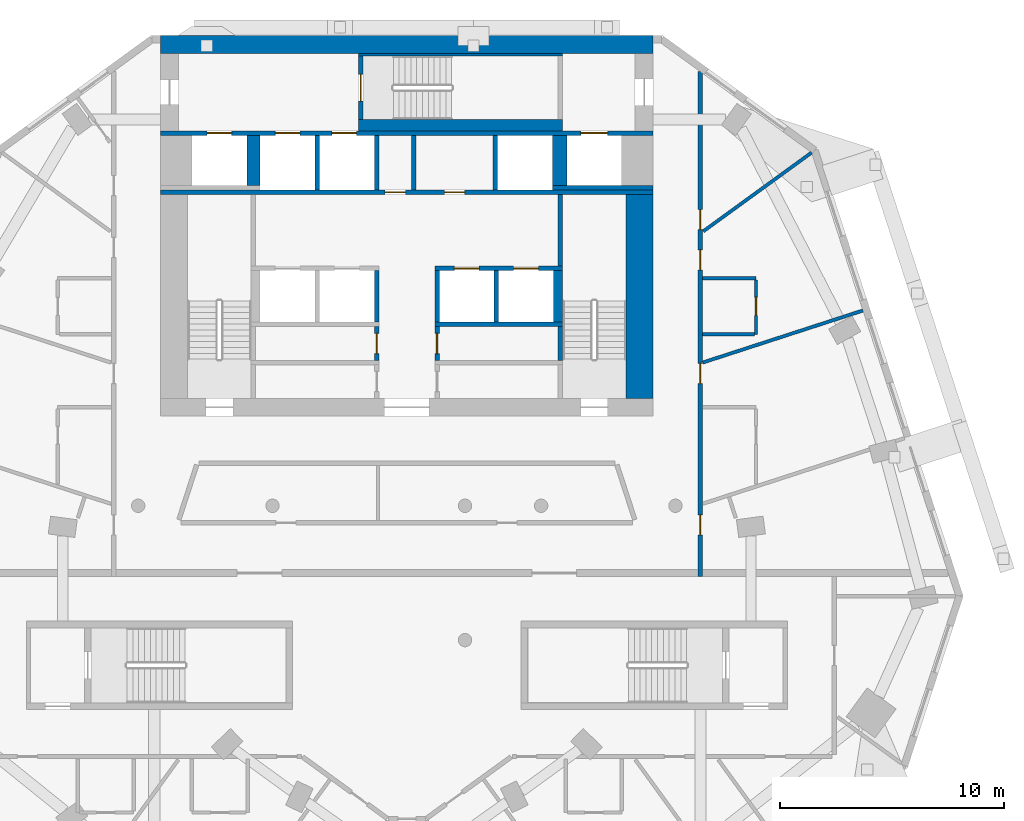
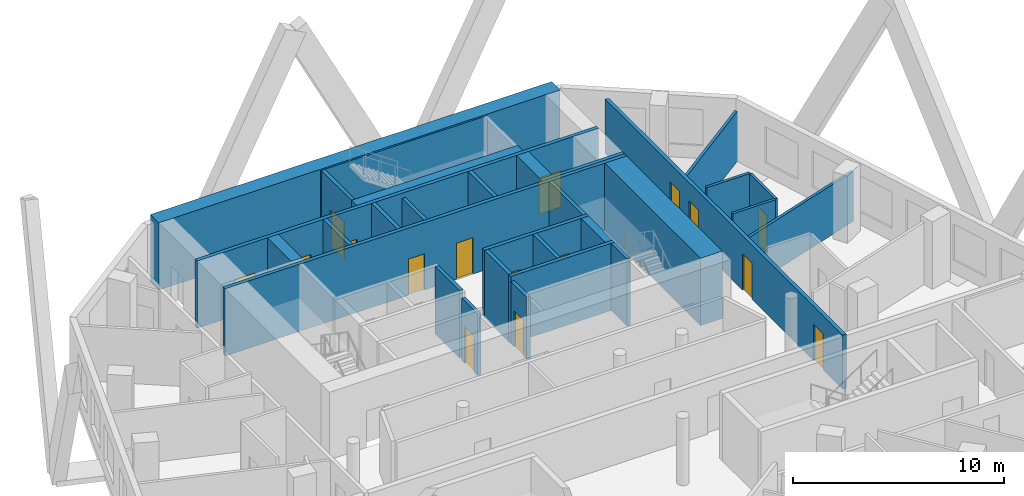
# One storey, part 7 of 10: 30 walls, 16 doors, 16 openings.
"""IFC4 building model written with IfcOpenShell, lengths in metres."""

from ifc_helpers import new_model, si_unit, direction, frame, frame_2d, origin, place, context, subcontext, project, spatial, rectangle, extrude, material, layer, layer_set, type_object, element, fill, save


model = new_model("IFC4")

# Units and contexts
model_context = context("Model", 3, precision=1e-05, world=origin(), true_north=direction((0.0, 1.0)))
body_context = subcontext(model_context, "Body", "Model", "MODEL_VIEW")
ifc_project = project(units=[si_unit("LENGTHUNIT", "METRE"), si_unit("AREAUNIT", "SQUARE_METRE"), si_unit("VOLUMEUNIT", "CUBIC_METRE"), si_unit("PLANEANGLEUNIT", "RADIAN"), si_unit("MASSUNIT", "GRAM", prefix="KILO")], contexts=[model_context])

# Site, building, storey
site_placement = place(None, origin())
site = spatial("IfcSite", under=ifc_project, at=site_placement, CompositionType="ELEMENT")
building_placement = place(site_placement, origin())
building = spatial("IfcBuilding", under=site, at=building_placement, Name="White Candle Pilgrim Tower", CompositionType="ELEMENT")
storey_placement = place(building_placement, frame((0.0, 0.0, 208.199951171875)))
storey = spatial("IfcBuildingStorey", under=building, at=storey_placement, Name="L48", CompositionType="ELEMENT", Elevation=208.199951171875)

# Wall
ifc_material_1 = material(Name="Concrete C50/60", Category="concrete")
ifc_layer_1 = layer(ifc_material_1, 0.199951171875)
ifc_layer_set_1 = layer_set([ifc_layer_1], Name="Core wall 200 mm Concrete C50/60")
wall_type_1 = type_object("IfcWallType", Name="Core wall 200 mm Concrete C50/60", PredefinedType="SHEAR", material=ifc_layer_set_1)
wall_1_placement = place(storey_placement, frame((76.5, 81.199951171875, 0.0), z_axis=(0.0, 0.0, 1.0), x_axis=(1.0, 0.0, 0.0)))
element("IfcWall", 1, at=wall_1_placement, inside=storey, type_object=wall_type_1, Name="WL-L48-C42", PredefinedType="SHEAR", context=body_context, shape_type="SweptSolid", body=[
    extrude(rectangle(XDim=4.5, YDim=0.199951171875, at=frame_2d((2.25, 0.0))), origin(), (0.0, 0.0, 1.0), 3.900146484375),
])

# Wall, openings, doors
wall_2_placement = place(storey_placement, frame((59.0, 83.64990234375, 0.0), z_axis=(0.0, 0.0, 1.0), x_axis=(1.0, 0.0, 0.0)))
wall_2 = element("IfcWall", 2, at=wall_2_placement, inside=storey, type_object=wall_type_1, Name="WL-L48-C47", PredefinedType="SHEAR", context=body_context, shape_type="SweptSolid", body=[
    extrude(rectangle(XDim=22.0, YDim=0.199951171875, at=frame_2d((11.0, 0.0))), origin(), (0.0, 0.0, 1.0), 3.900146484375),
])
opening_1_placement = place(wall_2_placement, frame((5.125, 0.0, 0.0)))
opening_1 = element("IfcOpeningElement", 3, at=opening_1_placement, cuts=wall_2, Name="Opening T15-019", PredefinedType="OPENING", context=body_context, shape_type="SweptSolid", body=[
    extrude(rectangle(XDim=1.10009765625, YDim=2.10009765625, at=frame_2d((0.550048828125, 1.050048828125))), frame((0.0, 0.10986328125, 0.0), z_axis=(0.0, -1.0, 0.0), x_axis=(1.0, 0.0, 0.0)), (0.0, 0.0, 1.0), 0.219970703125),
])
opening_2_placement = place(wall_2_placement, frame((7.64990234375, 0.0, 0.0)))
opening_2 = element("IfcOpeningElement", 4, at=opening_2_placement, cuts=wall_2, Name="Opening T15-020", PredefinedType="OPENING", context=body_context, shape_type="SweptSolid", body=[
    extrude(rectangle(XDim=1.10009765625, YDim=2.10009765625, at=frame_2d((0.550048828125, 1.050048828125))), frame((0.0, 0.10986328125, 0.0), z_axis=(0.0, -1.0, 0.0), x_axis=(1.0, 0.0, 0.0)), (0.0, 0.0, 1.0), 0.219970703125),
])
opening_3_placement = place(wall_2_placement, frame((18.77490234375, 0.0, 0.0)))
opening_3 = element("IfcOpeningElement", 5, at=opening_3_placement, cuts=wall_2, Name="Opening T15-021", PredefinedType="OPENING", context=body_context, shape_type="SweptSolid", body=[
    extrude(rectangle(XDim=1.199951171875, YDim=2.10009765625, at=frame_2d((0.60009765625, 1.050048828125))), frame((0.0, 0.10986328125, 0.0), z_axis=(0.0, -1.0, 0.0), x_axis=(1.0, 0.0, 0.0)), (0.0, 0.0, 1.0), 0.219970703125),
])
opening_4_placement = place(wall_2_placement, frame((2.074951171875, 0.0, 0.0)))
opening_4 = element("IfcOpeningElement", 6, at=opening_4_placement, cuts=wall_2, Name="Opening T15-022", PredefinedType="OPENING", context=body_context, shape_type="SweptSolid", body=[
    extrude(rectangle(XDim=1.10009765625, YDim=2.10009765625, at=frame_2d((0.550048828125, 1.050048828125))), frame((0.0, 0.10986328125, 0.0), z_axis=(0.0, -1.0, 0.0), x_axis=(1.0, 0.0, 0.0)), (0.0, 0.0, 1.0), 0.219970703125),
])
ifc_material_2 = material(Name="Stainless steel", Category="steel")
door_type_1 = type_object("IfcDoorType", Name="Lift landing door 1100 x 2100 EI 60", OperationType="DOUBLE_DOOR_SLIDING", PredefinedType="DOOR", material=ifc_material_2)
door_1_placement = place(opening_1_placement, origin())
door_1 = element("IfcDoor", 7, at=door_1_placement, inside=storey, type_object=door_type_1, Name="Door T15-019", OperationType="DOUBLE_DOOR_SLIDING", OverallHeight=2.10009765625, OverallWidth=1.10009765625, PredefinedType="DOOR", context=body_context, shape_type="SweptSolid", body=[
    extrude(rectangle(XDim=1.10009765625, YDim=2.10009765625, at=frame_2d((0.550048828125, 1.050048828125))), frame((0.0, 0.02490234375, 0.0), z_axis=(0.0, -1.0, 0.0), x_axis=(1.0, 0.0, 0.0)), (0.0, 0.0, 1.0), 0.050048828125),
])
fill(opening_1, door_1)
door_2_placement = place(opening_2_placement, origin())
door_2 = element("IfcDoor", 8, at=door_2_placement, inside=storey, type_object=door_type_1, Name="Door T15-020", OperationType="DOUBLE_DOOR_SLIDING", OverallHeight=2.10009765625, OverallWidth=1.10009765625, PredefinedType="DOOR", context=body_context, shape_type="SweptSolid", body=[
    extrude(rectangle(XDim=1.10009765625, YDim=2.10009765625, at=frame_2d((0.550048828125, 1.050048828125))), frame((0.0, 0.02490234375, 0.0), z_axis=(0.0, -1.0, 0.0), x_axis=(1.0, 0.0, 0.0)), (0.0, 0.0, 1.0), 0.050048828125),
])
fill(opening_2, door_2)
door_3_placement = place(opening_4_placement, origin())
door_3 = element("IfcDoor", 9, at=door_3_placement, inside=storey, type_object=door_type_1, Name="Door T15-022", OperationType="DOUBLE_DOOR_SLIDING", OverallHeight=2.10009765625, OverallWidth=1.10009765625, PredefinedType="DOOR", context=body_context, shape_type="SweptSolid", body=[
    extrude(rectangle(XDim=1.10009765625, YDim=2.10009765625, at=frame_2d((0.550048828125, 1.050048828125))), frame((0.0, 0.02490234375, 0.0), z_axis=(0.0, -1.0, 0.0), x_axis=(1.0, 0.0, 0.0)), (0.0, 0.0, 1.0), 0.050048828125),
])
fill(opening_4, door_3)
door_type_2 = type_object("IfcDoorType", Name="Lift landing door 1200 x 2100 E 60", OperationType="DOUBLE_DOOR_SLIDING", PredefinedType="DOOR", material=ifc_material_2)
door_4_placement = place(opening_3_placement, origin())
door_4 = element("IfcDoor", 10, at=door_4_placement, inside=storey, type_object=door_type_2, Name="Door T15-021", OperationType="DOUBLE_DOOR_SLIDING", OverallHeight=2.10009765625, OverallWidth=1.199951171875, PredefinedType="DOOR", context=body_context, shape_type="SweptSolid", body=[
    extrude(rectangle(XDim=1.199951171875, YDim=2.10009765625, at=frame_2d((0.60009765625, 1.050048828125))), frame((0.0, 0.02490234375, 0.0), z_axis=(0.0, -1.0, 0.0), x_axis=(1.0, 0.0, 0.0)), (0.0, 0.0, 1.0), 0.050048828125),
])
fill(opening_3, door_4)

# Wall
ifc_layer_2 = layer(ifc_material_1, 0.800048828125)
ifc_layer_set_2 = layer_set([ifc_layer_2], Name="Core wall 800 mm Concrete C50/60")
wall_type_2 = type_object("IfcWallType", Name="Core wall 800 mm Concrete C50/60", PredefinedType="SHEAR", material=ifc_layer_set_2)
wall_3_placement = place(storey_placement, frame((59.0, 87.60009765625, 0.0), z_axis=(0.0, 0.0, 1.0), x_axis=(1.0, 0.0, 0.0)))
element("IfcWall", 11, at=wall_3_placement, inside=storey, type_object=wall_type_2, Name="WL-L48-C54", PredefinedType="SHEAR", context=body_context, shape_type="SweptSolid", body=[
    extrude(rectangle(XDim=22.0, YDim=0.800048828125, at=frame_2d((11.0, 0.0))), origin(), (0.0, 0.0, 1.0), 3.900146484375),
])

# Wall, openings, doors
ifc_material_3 = material(Name="Gypsum board on steel studs", Category="steel")
ifc_layer_3 = layer(ifc_material_3, 0.199951171875)
ifc_layer_set_3 = layer_set([ifc_layer_3], Name="Corridor wall 200 mm EI 45")
wall_type_3 = type_object("IfcWallType", Name="Corridor wall 200 mm EI 45", PredefinedType="PARTITIONING", material=ifc_layer_set_3)
wall_4_placement = place(storey_placement, frame((83.10009765625, 86.396240234375, 0.0), z_axis=(0.0, 0.0, 1.0), x_axis=(0.0, -1.0, 0.0)))
wall_4 = element("IfcWall", 12, at=wall_4_placement, inside=storey, type_object=wall_type_3, Name="WL-L48-P003", PredefinedType="PARTITIONING", context=body_context, shape_type="SweptSolid", body=[
    extrude(rectangle(XDim=22.546142578125, YDim=0.199951171875, at=frame_2d((11.27294921875, 0.0))), origin(), (0.0, 0.0, 1.0), 3.150146484375),
])
opening_5_placement = place(wall_4_placement, frame((6.163818359375, 0.0, 0.0)))
opening_5 = element("IfcOpeningElement", 13, at=opening_5_placement, cuts=wall_4, Name="Opening T15-128", PredefinedType="OPENING", context=body_context, shape_type="SweptSolid", body=[
    extrude(rectangle(XDim=0.89990234375, YDim=2.10009765625, at=frame_2d((0.449951171875, 1.050048828125))), frame((0.0, 0.10986328125, 0.0), z_axis=(0.0, -1.0, 0.0), x_axis=(1.0, 0.0, 0.0)), (0.0, 0.0, 1.0), 0.219970703125),
])
opening_6_placement = place(wall_4_placement, frame((7.95947265625, 0.0, 0.0)))
opening_6 = element("IfcOpeningElement", 14, at=opening_6_placement, cuts=wall_4, Name="Opening T15-129", PredefinedType="OPENING", context=body_context, shape_type="SweptSolid", body=[
    extrude(rectangle(XDim=0.89990234375, YDim=2.10009765625, at=frame_2d((0.449951171875, 1.050048828125))), frame((0.0, 0.10986328125, 0.0), z_axis=(0.0, -1.0, 0.0), x_axis=(1.0, 0.0, 0.0)), (0.0, 0.0, 1.0), 0.219970703125),
])
opening_7_placement = place(wall_4_placement, frame((13.034423828125, 0.0, 0.0)))
opening_7 = element("IfcOpeningElement", 15, at=opening_7_placement, cuts=wall_4, Name="Opening T15-130", PredefinedType="OPENING", context=body_context, shape_type="SweptSolid", body=[
    extrude(rectangle(XDim=0.89990234375, YDim=2.10009765625, at=frame_2d((0.449951171875, 1.050048828125))), frame((0.0, 0.10986328125, 0.0), z_axis=(0.0, -1.0, 0.0), x_axis=(1.0, 0.0, 0.0)), (0.0, 0.0, 1.0), 0.219970703125),
])
opening_8_placement = place(wall_4_placement, frame((19.80126953125, 0.0, 0.0)))
opening_8 = element("IfcOpeningElement", 16, at=opening_8_placement, cuts=wall_4, Name="Opening T15-131", PredefinedType="OPENING", context=body_context, shape_type="SweptSolid", body=[
    extrude(rectangle(XDim=0.89990234375, YDim=2.10009765625, at=frame_2d((0.449951171875, 1.050048828125))), frame((0.0, 0.10986328125, 0.0), z_axis=(0.0, -1.0, 0.0), x_axis=(1.0, 0.0, 0.0)), (0.0, 0.0, 1.0), 0.219970703125),
])
ifc_material_4 = material(Name="Steel door leaf", Category="steel")
door_type_3 = type_object("IfcDoorType", Name="Fire door 900 x 2100 EI 30", OperationType="NOTDEFINED", PredefinedType="DOOR", material=ifc_material_4)
door_5_placement = place(opening_5_placement, origin())
door_5 = element("IfcDoor", 17, at=door_5_placement, inside=storey, type_object=door_type_3, Name="Door T15-128", OperationType="SINGLE_SWING_RIGHT", OverallHeight=2.10009765625, OverallWidth=0.89990234375, PredefinedType="DOOR", context=body_context, shape_type="SweptSolid", body=[
    extrude(rectangle(XDim=0.89990234375, YDim=2.10009765625, at=frame_2d((0.449951171875, 1.050048828125))), frame((0.0, 0.02490234375, 0.0), z_axis=(0.0, -1.0, 0.0), x_axis=(1.0, 0.0, 0.0)), (0.0, 0.0, 1.0), 0.050048828125),
])
fill(opening_5, door_5)
door_6_placement = place(opening_6_placement, origin())
door_6 = element("IfcDoor", 18, at=door_6_placement, inside=storey, type_object=door_type_3, Name="Door T15-129", OperationType="SINGLE_SWING_LEFT", OverallHeight=2.10009765625, OverallWidth=0.89990234375, PredefinedType="DOOR", context=body_context, shape_type="SweptSolid", body=[
    extrude(rectangle(XDim=0.89990234375, YDim=2.10009765625, at=frame_2d((0.449951171875, 1.050048828125))), frame((0.0, 0.02490234375, 0.0), z_axis=(0.0, -1.0, 0.0), x_axis=(1.0, 0.0, 0.0)), (0.0, 0.0, 1.0), 0.050048828125),
])
fill(opening_6, door_6)
door_7_placement = place(opening_7_placement, origin())
door_7 = element("IfcDoor", 19, at=door_7_placement, inside=storey, type_object=door_type_3, Name="Door T15-130", OperationType="SINGLE_SWING_RIGHT", OverallHeight=2.10009765625, OverallWidth=0.89990234375, PredefinedType="DOOR", context=body_context, shape_type="SweptSolid", body=[
    extrude(rectangle(XDim=0.89990234375, YDim=2.10009765625, at=frame_2d((0.449951171875, 1.050048828125))), frame((0.0, 0.02490234375, 0.0), z_axis=(0.0, -1.0, 0.0), x_axis=(1.0, 0.0, 0.0)), (0.0, 0.0, 1.0), 0.050048828125),
])
fill(opening_7, door_7)
door_8_placement = place(opening_8_placement, origin())
door_8 = element("IfcDoor", 20, at=door_8_placement, inside=storey, type_object=door_type_3, Name="Door T15-131", OperationType="SINGLE_SWING_LEFT", OverallHeight=2.10009765625, OverallWidth=0.89990234375, PredefinedType="DOOR", context=body_context, shape_type="SweptSolid", body=[
    extrude(rectangle(XDim=0.89990234375, YDim=2.10009765625, at=frame_2d((0.449951171875, 1.050048828125))), frame((0.0, 0.02490234375, 0.0), z_axis=(0.0, -1.0, 0.0), x_axis=(1.0, 0.0, 0.0)), (0.0, 0.0, 1.0), 0.050048828125),
])
fill(opening_8, door_8)

# Wall, opening, door
ifc_layer_4 = layer(ifc_material_3, 0.199951171875)
ifc_layer_set_4 = layer_set([ifc_layer_4], Name="Lobby wall 200 mm EI 60")
wall_type_4 = type_object("IfcWallType", Name="Lobby wall 200 mm EI 60", PredefinedType="PARTITIONING", material=ifc_layer_set_4)
wall_5_placement = place(storey_placement, frame((68.64990234375, 73.5, 0.0), z_axis=(0.0, 0.0, 1.0), x_axis=(0.0, 1.0, 0.0)))
wall_5 = element("IfcWall", 21, at=wall_5_placement, inside=storey, type_object=wall_type_4, Name="WL-L48-C21", PredefinedType="PARTITIONING", context=body_context, shape_type="SweptSolid", body=[
    extrude(rectangle(XDim=1.5, YDim=0.199951171875, at=frame_2d((0.75, 0.0))), origin(), (0.0, 0.0, 1.0), 3.60009765625),
])
opening_9_placement = place(wall_5_placement, frame((0.300048828125, 0.0, 0.0)))
opening_9 = element("IfcOpeningElement", 22, at=opening_9_placement, cuts=wall_5, Name="Opening T15-006", PredefinedType="OPENING", context=body_context, shape_type="SweptSolid", body=[
    extrude(rectangle(XDim=0.89990234375, YDim=2.10009765625, at=frame_2d((0.449951171875, 1.050048828125))), frame((0.0, 0.10986328125, 0.0), z_axis=(0.0, -1.0, 0.0), x_axis=(1.0, 0.0, 0.0)), (0.0, 0.0, 1.0), 0.219970703125),
])
door_9_placement = place(opening_9_placement, origin())
door_9 = element("IfcDoor", 23, at=door_9_placement, inside=storey, type_object=door_type_3, Name="Door T15-006", OperationType="SINGLE_SWING_RIGHT", OverallHeight=2.10009765625, OverallWidth=0.89990234375, PredefinedType="DOOR", context=body_context, shape_type="SweptSolid", body=[
    extrude(rectangle(XDim=0.89990234375, YDim=2.10009765625, at=frame_2d((0.449951171875, 1.050048828125))), frame((0.0, 0.02490234375, 0.0), z_axis=(0.0, -1.0, 0.0), x_axis=(1.0, 0.0, 0.0)), (0.0, 0.0, 1.0), 0.050048828125),
])
fill(opening_9, door_9)

wall_6_placement = place(storey_placement, frame((71.35009765625, 73.5, 0.0), z_axis=(0.0, 0.0, 1.0), x_axis=(0.0, 1.0, 0.0)))
wall_6 = element("IfcWall", 24, at=wall_6_placement, inside=storey, type_object=wall_type_4, Name="WL-L48-C22", PredefinedType="PARTITIONING", context=body_context, shape_type="SweptSolid", body=[
    extrude(rectangle(XDim=1.5, YDim=0.199951171875, at=frame_2d((0.75, 0.0))), origin(), (0.0, 0.0, 1.0), 3.60009765625),
])
opening_10_placement = place(wall_6_placement, frame((0.300048828125, 0.0, 0.0)))
opening_10 = element("IfcOpeningElement", 25, at=opening_10_placement, cuts=wall_6, Name="Opening T15-008", PredefinedType="OPENING", context=body_context, shape_type="SweptSolid", body=[
    extrude(rectangle(XDim=0.89990234375, YDim=2.10009765625, at=frame_2d((0.449951171875, 1.050048828125))), frame((0.0, 0.10986328125, 0.0), z_axis=(0.0, -1.0, 0.0), x_axis=(1.0, 0.0, 0.0)), (0.0, 0.0, 1.0), 0.219970703125),
])
door_10_placement = place(opening_10_placement, origin())
door_10 = element("IfcDoor", 26, at=door_10_placement, inside=storey, type_object=door_type_3, Name="Door T15-008", OperationType="SINGLE_SWING_RIGHT", OverallHeight=2.10009765625, OverallWidth=0.89990234375, PredefinedType="DOOR", context=body_context, shape_type="SweptSolid", body=[
    extrude(rectangle(XDim=0.89990234375, YDim=2.10009765625, at=frame_2d((0.449951171875, 1.050048828125))), frame((0.0, 0.02490234375, 0.0), z_axis=(0.0, -1.0, 0.0), x_axis=(1.0, 0.0, 0.0)), (0.0, 0.0, 1.0), 0.050048828125),
])
fill(opening_10, door_10)

# Walls
wall_7_placement = place(storey_placement, frame((70.320068359375, 81.10009765625, 0.0), z_axis=(0.0, 0.0, 1.0), x_axis=(0.0, 1.0, 0.0)))
element("IfcWall", 27, at=wall_7_placement, inside=storey, type_object=wall_type_4, Name="WL-L48-C40", PredefinedType="PARTITIONING", context=body_context, shape_type="SweptSolid", body=[
    extrude(rectangle(XDim=2.449951171875, YDim=0.199951171875, at=frame_2d((1.22509765625, 0.0))), origin(), (0.0, 0.0, 1.0), 3.60009765625),
])
ifc_layer_5 = layer(ifc_material_3, 0.14990234375)
ifc_layer_set_5 = layer_set([ifc_layer_5], Name="Partition 150 mm EI 60")
wall_type_5 = type_object("IfcWallType", Name="Partition 150 mm EI 60", PredefinedType="PARTITIONING", material=ifc_layer_set_5)
wall_8_placement = place(storey_placement, frame((88.08154296875, 82.77685546875, 0.0), z_axis=(0.0, 0.0, 1.0), x_axis=(-0.809011434577, -0.587792904622, 0.0)))
element("IfcWall", 28, at=wall_8_placement, inside=storey, type_object=wall_type_5, Name="WL-L48-P022", PredefinedType="PARTITIONING", context=body_context, shape_type="SweptSolid", body=[
    extrude(rectangle(XDim=5.9794921875, YDim=0.14990234375, at=frame_2d((2.98974609375, 0.0))), origin(), (0.0, 0.0, 1.0), 2.900146484375),
])
wall_9_placement = place(storey_placement, frame((90.37353515625, 75.723388671875, 0.0), z_axis=(0.0, 0.0, 1.0), x_axis=(-0.951049340024, -0.309039079794, 0.0)))
element("IfcWall", 29, at=wall_9_placement, inside=storey, type_object=wall_type_5, Name="WL-L48-P048", PredefinedType="PARTITIONING", context=body_context, shape_type="SweptSolid", body=[
    extrude(rectangle(XDim=7.518310546875, YDim=0.14990234375, at=frame_2d((3.75927734375, 0.0))), origin(), (0.0, 0.0, 1.0), 2.900146484375),
])
wall_10_placement = place(storey_placement, frame((83.199951171875, 77.159912109375, 0.0), z_axis=(0.0, 0.0, 1.0), x_axis=(1.0, 0.0, 0.0)))
element("IfcWall", 30, at=wall_10_placement, inside=storey, type_object=wall_type_5, Name="WL-L48-P051", PredefinedType="PARTITIONING", context=body_context, shape_type="SweptSolid", body=[
    extrude(rectangle(XDim=2.400146484375, YDim=0.14990234375, at=frame_2d((1.2001953125, 0.0))), origin(), (0.0, 0.0, 1.0), 3.60009765625),
])

# Wall, opening, door
wall_11_placement = place(storey_placement, frame((85.60009765625, 74.659912109375, 0.0), z_axis=(0.0, 0.0, 1.0), x_axis=(0.0, 1.0, 0.0)))
wall_11 = element("IfcWall", 31, at=wall_11_placement, inside=storey, type_object=wall_type_5, Name="WL-L48-P052", PredefinedType="PARTITIONING", context=body_context, shape_type="SweptSolid", body=[
    extrude(rectangle(XDim=2.425048828125, YDim=0.14990234375, at=frame_2d((1.21240234375, 0.0))), origin(), (0.0, 0.0, 1.0), 3.60009765625),
])
opening_11_placement = place(wall_11_placement, frame((0.85009765625, 0.0, 0.0)))
opening_11 = element("IfcOpeningElement", 32, at=opening_11_placement, cuts=wall_11, Name="Opening T15-118", PredefinedType="OPENING", context=body_context, shape_type="SweptSolid", body=[
    extrude(rectangle(XDim=0.800048828125, YDim=2.10009765625, at=frame_2d((0.39990234375, 1.050048828125))), frame((0.0, 0.0849609375, 0.0), z_axis=(0.0, -1.0, 0.0), x_axis=(1.0, 0.0, 0.0)), (0.0, 0.0, 1.0), 0.169921875),
])
door_type_4 = type_object("IfcDoorType", Name="Fire door 800 x 2100 EI 30", OperationType="NOTDEFINED", PredefinedType="DOOR", material=ifc_material_4)
door_11_placement = place(opening_11_placement, frame((0.800048828125, 0.0, 0.0), z_axis=(0.0, 0.0, 1.0), x_axis=(-1.0, 0.0, 0.0)))
door_11 = element("IfcDoor", 33, at=door_11_placement, inside=storey, type_object=door_type_4, Name="Door T15-118", OperationType="SINGLE_SWING_LEFT", OverallHeight=2.10009765625, OverallWidth=0.800048828125, PredefinedType="DOOR", context=body_context, shape_type="SweptSolid", body=[
    extrude(rectangle(XDim=0.800048828125, YDim=2.10009765625, at=frame_2d((0.39990234375, 1.050048828125))), frame((0.0, 0.02490234375, 0.0), z_axis=(0.0, -1.0, 0.0), x_axis=(1.0, 0.0, 0.0)), (0.0, 0.0, 1.0), 0.050048828125),
])
fill(opening_11, door_11)

# Walls
wall_12_placement = place(storey_placement, frame((83.199951171875, 74.659912109375, 0.0), z_axis=(0.0, 0.0, 1.0), x_axis=(1.0, 0.0, 0.0)))
element("IfcWall", 34, at=wall_12_placement, inside=storey, type_object=wall_type_5, Name="WL-L48-P053", PredefinedType="PARTITIONING", context=body_context, shape_type="SweptSolid", body=[
    extrude(rectangle(XDim=2.324951171875, YDim=0.14990234375, at=frame_2d((1.16259765625, 0.0))), origin(), (0.0, 0.0, 1.0), 3.60009765625),
])
ifc_layer_6 = layer(ifc_material_1, 0.199951171875)
ifc_layer_set_6 = layer_set([ifc_layer_6], Name="Shaft wall 200 mm Concrete C50/60")
wall_type_6 = type_object("IfcWallType", Name="Shaft wall 200 mm Concrete C50/60", PredefinedType="SHEAR", material=ifc_layer_set_6)
for number, where, z_axis, x_axis, name in (
    (35, (68.64990234375, 75.199951171875, 0.0), (0.0, 0.0, 1.0), (0.0, 1.0, 0.0), "WL-L48-C28"),
    (36, (71.35009765625, 75.199951171875, 0.0), (0.0, 0.0, 1.0), (0.0, 1.0, 0.0), "WL-L48-C29"),
    (37, (74.0, 75.199951171875, 0.0), (0.0, 0.0, 1.0), (0.0, 1.0, 0.0), "WL-L48-C30"),
):
    element("IfcWall", number, at=place(storey_placement, frame(where, z_axis=z_axis, x_axis=x_axis)), inside=storey, type_object=wall_type_6, Name=name, PredefinedType="SHEAR", context=body_context, shape_type="SweptSolid", body=[
        extrude(rectangle(XDim=2.300048828125, YDim=0.199951171875, at=frame_2d((1.14990234375, 0.0))), origin(), (0.0, 0.0, 1.0), 3.900146484375),
    ])
for number, where, z_axis, x_axis, name in (
    (38, (66.0, 81.10009765625, 0.0), (0.0, 0.0, 1.0), (0.0, 1.0, 0.0), "WL-L48-C38"),
    (39, (68.64990234375, 81.10009765625, 0.0), (0.0, 0.0, 1.0), (0.0, 1.0, 0.0), "WL-L48-C39"),
    (40, (73.949951171875, 81.10009765625, 0.0), (0.0, 0.0, 1.0), (0.0, 1.0, 0.0), "WL-L48-C41"),
):
    element("IfcWall", number, at=place(storey_placement, frame(where, z_axis=z_axis, x_axis=x_axis)), inside=storey, type_object=wall_type_6, Name=name, PredefinedType="SHEAR", context=body_context, shape_type="SweptSolid", body=[
        extrude(rectangle(XDim=2.449951171875, YDim=0.199951171875, at=frame_2d((1.22509765625, 0.0))), origin(), (0.0, 0.0, 1.0), 3.900146484375),
    ])
ifc_layer_7 = layer(ifc_material_1, 0.60009765625)
ifc_layer_set_7 = layer_set([ifc_layer_7], Name="Shaft wall 600 mm Concrete C50/60")
wall_type_7 = type_object("IfcWallType", Name="Shaft wall 600 mm Concrete C50/60", PredefinedType="SHEAR", material=ifc_layer_set_7)
wall_13_placement = place(storey_placement, frame((63.14990234375, 81.300048828125, 0.0), z_axis=(0.0, 0.0, 1.0), x_axis=(0.0, 1.0, 0.0)))
element("IfcWall", 41, at=wall_13_placement, inside=storey, type_object=wall_type_7, Name="WL-L48-C44", PredefinedType="SHEAR", context=body_context, shape_type="SweptSolid", body=[
    extrude(rectangle(XDim=2.25, YDim=0.60009765625, at=frame_2d((1.125, 0.0))), origin(), (0.0, 0.0, 1.0), 3.900146484375),
])
ifc_layer_8 = layer(ifc_material_1, 0.64990234375)
ifc_layer_set_8 = layer_set([ifc_layer_8], Name="Shaft wall 650 mm Concrete C50/60")
wall_type_8 = type_object("IfcWallType", Name="Shaft wall 650 mm Concrete C50/60", PredefinedType="SHEAR", material=ifc_layer_set_8)
wall_14_placement = place(storey_placement, frame((76.824951171875, 81.300048828125, 0.0), z_axis=(0.0, 0.0, 1.0), x_axis=(0.0, 1.0, 0.0)))
element("IfcWall", 42, at=wall_14_placement, inside=storey, type_object=wall_type_8, Name="WL-L48-C45", PredefinedType="SHEAR", context=body_context, shape_type="SweptSolid", body=[
    extrude(rectangle(XDim=2.25, YDim=0.64990234375, at=frame_2d((1.125, 0.0))), origin(), (0.0, 0.0, 1.0), 3.900146484375),
])
ifc_layer_9 = layer(ifc_material_1, 0.10009765625)
ifc_layer_set_9 = layer_set([ifc_layer_9], Name="Stair shaft wall 100 mm Concrete C50/60")
wall_type_9 = type_object("IfcWallType", Name="Stair shaft wall 100 mm Concrete C50/60", PredefinedType="SHEAR", material=ifc_layer_set_9)
wall_15_placement = place(storey_placement, frame((67.85009765625, 87.14990234375, 0.0), z_axis=(0.0, 0.0, 1.0), x_axis=(1.0, 0.0, 0.0)))
element("IfcWall", 43, at=wall_15_placement, inside=storey, type_object=wall_type_9, Name="WL-L48-C53", PredefinedType="SHEAR", context=body_context, shape_type="SweptSolid", body=[
    extrude(rectangle(XDim=9.099853515625, YDim=0.10009765625, at=frame_2d((4.5498046875, 0.0))), origin(), (0.0, 0.0, 1.0), 3.900146484375),
])
ifc_layer_10 = layer(ifc_material_1, 1.199951171875)
ifc_layer_set_10 = layer_set([ifc_layer_10], Name="Stair shaft wall 1200 mm Concrete C50/60")
wall_type_10 = type_object("IfcWallType", Name="Stair shaft wall 1200 mm Concrete C50/60", PredefinedType="SHEAR", material=ifc_layer_set_10)
wall_16_placement = place(storey_placement, frame((80.39990234375, 71.800048828125, 0.0), z_axis=(0.0, 0.0, 1.0), x_axis=(0.0, 1.0, 0.0)))
element("IfcWall", 44, at=wall_16_placement, inside=storey, type_object=wall_type_10, Name="WL-L48-C17", PredefinedType="SHEAR", context=body_context, shape_type="SweptSolid", body=[
    extrude(rectangle(XDim=9.099853515625, YDim=1.199951171875, at=frame_2d((4.5498046875, 0.0))), origin(), (0.0, 0.0, 1.0), 3.900146484375),
])
ifc_layer_11 = layer(ifc_material_1, 0.199951171875)
ifc_layer_set_11 = layer_set([ifc_layer_11], Name="Stair shaft wall 200 mm Concrete C50/60")
wall_type_11 = type_object("IfcWallType", Name="Stair shaft wall 200 mm Concrete C50/60", PredefinedType="SHEAR", material=ifc_layer_set_11)
wall_17_placement = place(storey_placement, frame((76.85009765625, 73.5, 0.0), z_axis=(0.0, 0.0, 1.0), x_axis=(0.0, 1.0, 0.0)))
element("IfcWall", 45, at=wall_17_placement, inside=storey, type_object=wall_type_11, Name="WL-L48-C23", PredefinedType="SHEAR", context=body_context, shape_type="SweptSolid", body=[
    extrude(rectangle(XDim=1.5, YDim=0.199951171875, at=frame_2d((0.75, 0.0))), origin(), (0.0, 0.0, 1.0), 3.900146484375),
])
wall_18_placement = place(storey_placement, frame((71.25, 75.10009765625, 0.0), z_axis=(0.0, 0.0, 1.0), x_axis=(1.0, 0.0, 0.0)))
element("IfcWall", 46, at=wall_18_placement, inside=storey, type_object=wall_type_11, Name="WL-L48-C25", PredefinedType="SHEAR", context=body_context, shape_type="SweptSolid", body=[
    extrude(rectangle(XDim=5.699951171875, YDim=0.199951171875, at=frame_2d((2.85009765625, 0.0))), origin(), (0.0, 0.0, 1.0), 3.900146484375),
])

# Wall, openings, doors
wall_19_placement = place(storey_placement, frame((71.25, 77.60009765625, 0.0), z_axis=(0.0, 0.0, 1.0), x_axis=(1.0, 0.0, 0.0)))
wall_19 = element("IfcWall", 47, at=wall_19_placement, inside=storey, type_object=wall_type_11, Name="WL-L48-C33", PredefinedType="SHEAR", context=body_context, shape_type="SweptSolid", body=[
    extrude(rectangle(XDim=5.699951171875, YDim=0.199951171875, at=frame_2d((2.85009765625, 0.0))), origin(), (0.0, 0.0, 1.0), 3.900146484375),
])
opening_12_placement = place(wall_19_placement, frame((0.875, 0.0, 0.0)))
opening_12 = element("IfcOpeningElement", 48, at=opening_12_placement, cuts=wall_19, Name="Opening T15-017", PredefinedType="OPENING", context=body_context, shape_type="SweptSolid", body=[
    extrude(rectangle(XDim=1.10009765625, YDim=2.10009765625, at=frame_2d((0.550048828125, 1.050048828125))), frame((0.0, 0.10986328125, 0.0), z_axis=(0.0, -1.0, 0.0), x_axis=(1.0, 0.0, 0.0)), (0.0, 0.0, 1.0), 0.219970703125),
])
opening_13_placement = place(wall_19_placement, frame((3.52490234375, 0.0, 0.0)))
opening_13 = element("IfcOpeningElement", 49, at=opening_13_placement, cuts=wall_19, Name="Opening T15-018", PredefinedType="OPENING", context=body_context, shape_type="SweptSolid", body=[
    extrude(rectangle(XDim=1.10009765625, YDim=2.10009765625, at=frame_2d((0.550048828125, 1.050048828125))), frame((0.0, 0.10986328125, 0.0), z_axis=(0.0, -1.0, 0.0), x_axis=(1.0, 0.0, 0.0)), (0.0, 0.0, 1.0), 0.219970703125),
])
door_type_5 = type_object("IfcDoorType", Name="Lift landing door 1100 x 2100 E 60", OperationType="DOUBLE_DOOR_SLIDING", PredefinedType="DOOR", material=ifc_material_2)
door_12_placement = place(opening_12_placement, origin())
door_12 = element("IfcDoor", 50, at=door_12_placement, inside=storey, type_object=door_type_5, Name="Door T15-017", OperationType="DOUBLE_DOOR_SLIDING", OverallHeight=2.10009765625, OverallWidth=1.10009765625, PredefinedType="DOOR", context=body_context, shape_type="SweptSolid", body=[
    extrude(rectangle(XDim=1.10009765625, YDim=2.10009765625, at=frame_2d((0.550048828125, 1.050048828125))), frame((0.0, 0.02490234375, 0.0), z_axis=(0.0, -1.0, 0.0), x_axis=(1.0, 0.0, 0.0)), (0.0, 0.0, 1.0), 0.050048828125),
])
fill(opening_12, door_12)
door_13_placement = place(opening_13_placement, origin())
door_13 = element("IfcDoor", 51, at=door_13_placement, inside=storey, type_object=door_type_5, Name="Door T15-018", OperationType="DOUBLE_DOOR_SLIDING", OverallHeight=2.10009765625, OverallWidth=1.10009765625, PredefinedType="DOOR", context=body_context, shape_type="SweptSolid", body=[
    extrude(rectangle(XDim=1.10009765625, YDim=2.10009765625, at=frame_2d((0.550048828125, 1.050048828125))), frame((0.0, 0.02490234375, 0.0), z_axis=(0.0, -1.0, 0.0), x_axis=(1.0, 0.0, 0.0)), (0.0, 0.0, 1.0), 0.050048828125),
])
fill(opening_13, door_13)

# Wall
wall_20_placement = place(storey_placement, frame((76.85009765625, 77.699951171875, 0.0), z_axis=(0.0, 0.0, 1.0), x_axis=(0.0, 1.0, 0.0)))
element("IfcWall", 52, at=wall_20_placement, inside=storey, type_object=wall_type_11, Name="WL-L48-C35", PredefinedType="SHEAR", context=body_context, shape_type="SweptSolid", body=[
    extrude(rectangle(XDim=3.199951171875, YDim=0.199951171875, at=frame_2d((1.60009765625, 0.0))), origin(), (0.0, 0.0, 1.0), 3.900146484375),
])

# Wall, openings, doors
wall_21_placement = place(storey_placement, frame((59.0, 81.0, 0.0), z_axis=(0.0, 0.0, 1.0), x_axis=(1.0, 0.0, 0.0)))
wall_21 = element("IfcWall", 53, at=wall_21_placement, inside=storey, type_object=wall_type_11, Name="WL-L48-C36", PredefinedType="SHEAR", context=body_context, shape_type="SweptSolid", body=[
    extrude(rectangle(XDim=22.0, YDim=0.199951171875, at=frame_2d((11.0, 0.0))), origin(), (0.0, 0.0, 1.0), 3.900146484375),
])
opening_14_placement = place(wall_21_placement, frame((10.034912109375, 0.0, 0.0)))
opening_14 = element("IfcOpeningElement", 54, at=opening_14_placement, cuts=wall_21, Name="Opening T15-023", PredefinedType="OPENING", context=body_context, shape_type="SweptSolid", body=[
    extrude(rectangle(XDim=0.89990234375, YDim=2.10009765625, at=frame_2d((0.449951171875, 1.050048828125))), frame((0.0, 0.10986328125, 0.0), z_axis=(0.0, -1.0, 0.0), x_axis=(1.0, 0.0, 0.0)), (0.0, 0.0, 1.0), 0.219970703125),
])
opening_15_placement = place(wall_21_placement, frame((12.68505859375, 0.0, 0.0)))
opening_15 = element("IfcOpeningElement", 55, at=opening_15_placement, cuts=wall_21, Name="Opening T15-024", PredefinedType="OPENING", context=body_context, shape_type="SweptSolid", body=[
    extrude(rectangle(XDim=0.89990234375, YDim=2.10009765625, at=frame_2d((0.449951171875, 1.050048828125))), frame((0.0, 0.10986328125, 0.0), z_axis=(0.0, -1.0, 0.0), x_axis=(1.0, 0.0, 0.0)), (0.0, 0.0, 1.0), 0.219970703125),
])
door_14_placement = place(opening_14_placement, origin())
door_14 = element("IfcDoor", 56, at=door_14_placement, inside=storey, type_object=door_type_3, Name="Door T15-023", OperationType="SINGLE_SWING_LEFT", OverallHeight=2.10009765625, OverallWidth=0.89990234375, PredefinedType="DOOR", context=body_context, shape_type="SweptSolid", body=[
    extrude(rectangle(XDim=0.89990234375, YDim=2.10009765625, at=frame_2d((0.449951171875, 1.050048828125))), frame((0.0, 0.02490234375, 0.0), z_axis=(0.0, -1.0, 0.0), x_axis=(1.0, 0.0, 0.0)), (0.0, 0.0, 1.0), 0.050048828125),
])
fill(opening_14, door_14)
door_15_placement = place(opening_15_placement, origin())
door_15 = element("IfcDoor", 57, at=door_15_placement, inside=storey, type_object=door_type_3, Name="Door T15-024", OperationType="SINGLE_SWING_RIGHT", OverallHeight=2.10009765625, OverallWidth=0.89990234375, PredefinedType="DOOR", context=body_context, shape_type="SweptSolid", body=[
    extrude(rectangle(XDim=0.89990234375, YDim=2.10009765625, at=frame_2d((0.449951171875, 1.050048828125))), frame((0.0, 0.02490234375, 0.0), z_axis=(0.0, -1.0, 0.0), x_axis=(1.0, 0.0, 0.0)), (0.0, 0.0, 1.0), 0.050048828125),
])
fill(opening_15, door_15)

# Wall, opening, door
wall_22_placement = place(storey_placement, frame((67.949951171875, 84.25, 0.0), z_axis=(0.0, 0.0, 1.0), x_axis=(0.0, 1.0, 0.0)))
wall_22 = element("IfcWall", 58, at=wall_22_placement, inside=storey, type_object=wall_type_11, Name="WL-L48-C51", PredefinedType="SHEAR", context=body_context, shape_type="SweptSolid", body=[
    extrude(rectangle(XDim=2.85009765625, YDim=0.199951171875, at=frame_2d((1.425048828125, 0.0))), origin(), (0.0, 0.0, 1.0), 3.900146484375),
])
opening_16_placement = place(wall_22_placement, frame((0.824951171875, 0.0, 0.0)))
opening_16 = element("IfcOpeningElement", 59, at=opening_16_placement, cuts=wall_22, Name="Opening T15-003", PredefinedType="OPENING", context=body_context, shape_type="SweptSolid", body=[
    extrude(rectangle(XDim=1.199951171875, YDim=2.10009765625, at=frame_2d((0.60009765625, 1.050048828125))), frame((0.0, 0.10986328125, 0.0), z_axis=(0.0, -1.0, 0.0), x_axis=(1.0, 0.0, 0.0)), (0.0, 0.0, 1.0), 0.219970703125),
])
door_type_6 = type_object("IfcDoorType", Name="Fire door 1200 x 2100 EI 60", OperationType="NOTDEFINED", PredefinedType="DOOR", material=ifc_material_4)
door_16_placement = place(opening_16_placement, frame((1.199951171875, 0.0, 0.0), z_axis=(0.0, 0.0, 1.0), x_axis=(-1.0, 0.0, 0.0)))
door_16 = element("IfcDoor", 60, at=door_16_placement, inside=storey, type_object=door_type_6, Name="Door T15-003", OperationType="SINGLE_SWING_RIGHT", OverallHeight=2.10009765625, OverallWidth=1.199951171875, PredefinedType="DOOR", context=body_context, shape_type="SweptSolid", body=[
    extrude(rectangle(XDim=1.199951171875, YDim=2.10009765625, at=frame_2d((0.60009765625, 1.050048828125))), frame((0.0, 0.02490234375, 0.0), z_axis=(0.0, -1.0, 0.0), x_axis=(1.0, 0.0, 0.0)), (0.0, 0.0, 1.0), 0.050048828125),
])
fill(opening_16, door_16)

# Walls
ifc_layer_12 = layer(ifc_material_1, 0.39990234375)
ifc_layer_set_12 = layer_set([ifc_layer_12], Name="Stair shaft wall 400 mm Concrete C50/60")
wall_type_12 = type_object("IfcWallType", Name="Stair shaft wall 400 mm Concrete C50/60", PredefinedType="SHEAR", material=ifc_layer_set_12)
wall_23_placement = place(storey_placement, frame((76.75, 75.199951171875, 0.0), z_axis=(0.0, 0.0, 1.0), x_axis=(0.0, 1.0, 0.0)))
element("IfcWall", 61, at=wall_23_placement, inside=storey, type_object=wall_type_12, Name="WL-L48-C31", PredefinedType="SHEAR", context=body_context, shape_type="SweptSolid", body=[
    extrude(rectangle(XDim=2.300048828125, YDim=0.39990234375, at=frame_2d((1.14990234375, 0.0))), origin(), (0.0, 0.0, 1.0), 3.900146484375),
])
ifc_layer_13 = layer(ifc_material_1, 0.5)
ifc_layer_set_13 = layer_set([ifc_layer_13], Name="Stair shaft wall 500 mm Concrete C50/60")
wall_type_13 = type_object("IfcWallType", Name="Stair shaft wall 500 mm Concrete C50/60", PredefinedType="SHEAR", material=ifc_layer_set_13)
wall_24_placement = place(storey_placement, frame((67.85009765625, 84.0, 0.0), z_axis=(0.0, 0.0, 1.0), x_axis=(1.0, 0.0, 0.0)))
element("IfcWall", 62, at=wall_24_placement, inside=storey, type_object=wall_type_13, Name="WL-L48-C49", PredefinedType="SHEAR", context=body_context, shape_type="SweptSolid", body=[
    extrude(rectangle(XDim=9.099853515625, YDim=0.5, at=frame_2d((4.5498046875, 0.0))), origin(), (0.0, 0.0, 1.0), 3.900146484375),
])

save(model, "model.ifc")
